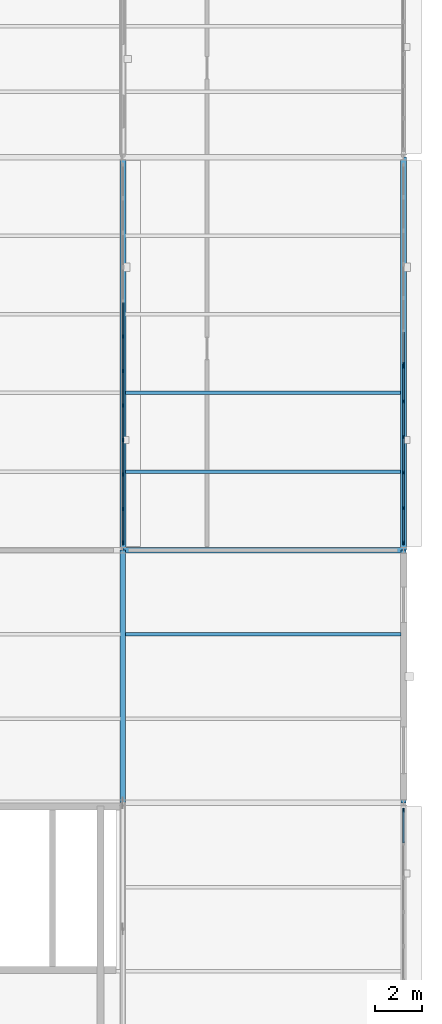
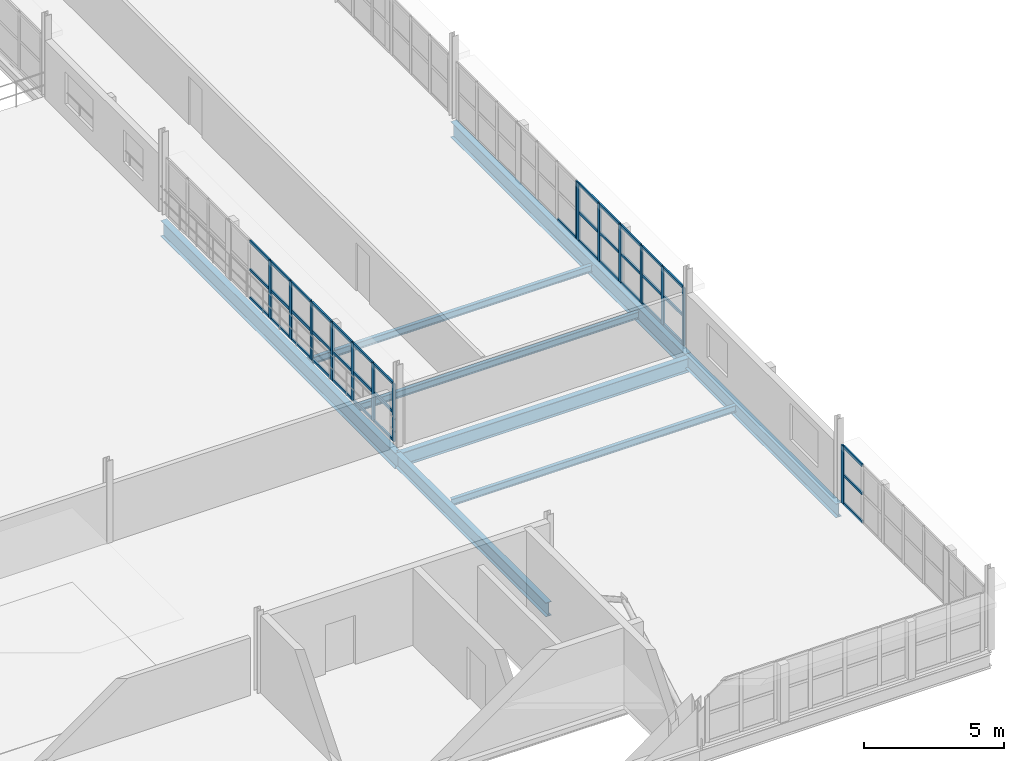
# One storey, part 38 of 74: 55 members, 8 beams, 4 elements without a shape of their own.
"""IFC4 building model written with IfcOpenShell, lengths in metres."""

from ifc_helpers import new_model, si_unit, direction, frame, origin, origin_2d, place, context, subcontext, project, spatial, rectangle, i_section, extrude, material, layer, layer_set, material_profile, profile_set, type_object, element, aggregate, save


model = new_model("IFC4")

# Units and contexts
model_context = context("Model", 3, precision=1e-05, world=origin(), true_north=direction((0.0, 1.0)))
body_context = subcontext(model_context, "Body", "Model", "MODEL_VIEW")
ifc_project = project(units=[si_unit("LENGTHUNIT", "METRE"), si_unit("AREAUNIT", "SQUARE_METRE"), si_unit("VOLUMEUNIT", "CUBIC_METRE"), si_unit("PLANEANGLEUNIT", "RADIAN"), si_unit("MASSUNIT", "GRAM", prefix="KILO"), si_unit("THERMODYNAMICTEMPERATUREUNIT", "KELVIN"), si_unit("POWERUNIT", "WATT")], contexts=[model_context])

# Site, building, storey
site_placement = place(None, origin())
site = spatial("IfcSite", under=ifc_project, at=site_placement, CompositionType="ELEMENT")
building_placement = place(site_placement, origin())
building = spatial("IfcBuilding", under=site, at=building_placement, Name="Tembeka Court Mobility Hub", CompositionType="ELEMENT")
storey_placement = place(building_placement, frame((0.0, 0.0, 12.60009765625)))
storey = spatial("IfcBuildingStorey", under=building, at=storey_placement, Name="L03", CompositionType="ELEMENT", Elevation=12.60009765625)

# Beams
ifc_material_1 = material(Name="Steel S355", Category="steel")
ifc_material_profile_1 = material_profile(ifc_material_1, i_section(OverallWidth=0.25390625, OverallDepth=0.68408203125, WebThickness=0.012451171875, FlangeThickness=0.01904296875, FilletRadius=0.01513671875, at=origin_2d()), Name="UKB 686x254x140")
ifc_profile_set_1 = profile_set([ifc_material_profile_1], Name="Steel S355")
beam_type_1 = type_object("IfcBeamType", Name="BM-G01", PredefinedType="USERDEFINED", material=ifc_profile_set_1)
for number, where, z_axis, x_axis, name in (
    (1, (164.39990234375, 21.60009765625, -0.662109375), (0.0, 1.0, 0.0), (-1.0, 0.0, 0.0), "Beam G01 (BM-L03-Y1936)"),
    (2, (176.39990234375, 21.60009765625, -0.531982421875), (0.0, 1.0, 0.0), (-1.0, 0.0, 0.0), "Beam G01 (BM-L03-Y1942)"),
):
    element("IfcBeam", number, at=place(storey_placement, frame(where, z_axis=z_axis, x_axis=x_axis)), inside=storey, type_object=beam_type_1, Name=name, ObjectType="GIRDER", PredefinedType="USERDEFINED", context=body_context, shape_type="SweptSolid", body=[
        extrude(i_section(OverallWidth=0.25390625, OverallDepth=0.68408203125, WebThickness=0.012451171875, FlangeThickness=0.01904296875, FilletRadius=0.01513671875, at=origin_2d()), origin(), (0.0, 0.0, 1.0), 16.7998046875),
    ])
ifc_material_profile_2 = material_profile(ifc_material_1, i_section(OverallWidth=0.22900390625, OverallDepth=0.612060546875, WebThickness=0.011962890625, FlangeThickness=0.01953125, FilletRadius=0.0126953125, at=origin_2d()), Name="UKB 610x229x125")
ifc_profile_set_2 = profile_set([ifc_material_profile_2], Name="Steel S355")
beam_type_2 = type_object("IfcBeamType", Name="BM-G02", PredefinedType="USERDEFINED", material=ifc_profile_set_2)
beam_1_placement = place(storey_placement, frame((164.39990234375, 21.60009765625, -0.6259765625), z_axis=(1.0, 0.0, 0.0), x_axis=(0.0, 1.0, 0.0)))
element("IfcBeam", 3, at=beam_1_placement, inside=storey, type_object=beam_type_2, Name="Beam G02 (BM-L03-X1717)", ObjectType="GIRDER", PredefinedType="USERDEFINED", context=body_context, shape_type="SweptSolid", body=[
    extrude(i_section(OverallWidth=0.22900390625, OverallDepth=0.612060546875, WebThickness=0.011962890625, FlangeThickness=0.01953125, FilletRadius=0.0126953125, at=origin_2d()), origin(), (0.0, 0.0, 1.0), 12.0),
])
for number, where, z_axis, x_axis, name in (
    (4, (164.39990234375, 10.800048828125, -0.6259765625), (0.0, 1.0, 0.0), (-1.0, 0.0, 0.0), "Beam G02 (BM-L03-Y1935)"),
    (5, (176.39990234375, 10.800048828125, -0.49609375), (0.0, 1.0, 0.0), (-1.0, 0.0, 0.0), "Beam G02 (BM-L03-Y1941)"),
):
    element("IfcBeam", number, at=place(storey_placement, frame(where, z_axis=z_axis, x_axis=x_axis)), inside=storey, type_object=beam_type_2, Name=name, ObjectType="GIRDER", PredefinedType="USERDEFINED", context=body_context, shape_type="SweptSolid", body=[
        extrude(i_section(OverallWidth=0.22900390625, OverallDepth=0.612060546875, WebThickness=0.011962890625, FlangeThickness=0.01953125, FilletRadius=0.0126953125, at=origin_2d()), origin(), (0.0, 0.0, 1.0), 10.800048828125),
    ])
ifc_material_profile_3 = material_profile(ifc_material_1, i_section(OverallWidth=0.14990234375, OverallDepth=0.300048828125, WebThickness=0.007080078125, FlangeThickness=0.0107421875, FilletRadius=0.014892578125, at=origin_2d()), Name="IPE 300")
ifc_profile_set_3 = profile_set([ifc_material_profile_3], Name="Steel S355")
beam_type_3 = type_object("IfcBeamType", Name="BM-J04", PredefinedType="JOIST", material=ifc_profile_set_3)
beam_2_placement = place(storey_placement, frame((164.509521484375, 18.0, -0.340087890625), z_axis=(1.0, 0.0, 0.0), x_axis=(0.0, 1.0, 0.0)))
element("IfcBeam", 6, at=beam_2_placement, inside=storey, type_object=beam_type_3, Name="Beam J04 (JST-L03-2174)", PredefinedType="JOIST", context=body_context, shape_type="SweptSolid", body=[
    extrude(i_section(OverallWidth=0.14990234375, OverallDepth=0.300048828125, WebThickness=0.007080078125, FlangeThickness=0.0107421875, FilletRadius=0.014892578125, at=origin_2d()), origin(), (0.0, 0.0, 1.0), 11.781005859375),
])
for number, where, z_axis, x_axis, name in (
    (7, (164.52197265625, 24.9599609375, -0.47021484375), (1.0, 0.0, 0.0), (0.0, 1.0, 0.0), "Beam J04 (JST-L03-2175)"),
    (8, (164.52197265625, 28.320068359375, -0.47021484375), (1.0, 0.0, 0.0), (0.0, 1.0, 0.0), "Beam J04 (JST-L03-2176)"),
):
    element("IfcBeam", number, at=place(storey_placement, frame(where, z_axis=z_axis, x_axis=x_axis)), inside=storey, type_object=beam_type_3, Name=name, PredefinedType="JOIST", context=body_context, shape_type="SweptSolid", body=[
        extrude(i_section(OverallWidth=0.14990234375, OverallDepth=0.300048828125, WebThickness=0.007080078125, FlangeThickness=0.0107421875, FilletRadius=0.014892578125, at=origin_2d()), origin(), (0.0, 0.0, 1.0), 11.756103515625),
    ])

# Curtain wall, member
ifc_material_2 = material(Name="Anodised aluminium 6063-T6", Category="aluminium")
ifc_layer_1 = layer(ifc_material_2, 0.159912109375)
ifc_layer_set_1 = layer_set([ifc_layer_1], Name="Anodised aluminium 6063-T6")
curtain_wall_type_1 = type_object("IfcCurtainWallType", Name="CW-SYS42", PredefinedType="USERDEFINED", material=ifc_layer_set_1)
curtain_wall_1_placement = place(storey_placement, origin())
curtain_wall_1 = element("IfcCurtainWall", 9, at=curtain_wall_1_placement, inside=storey, type_object=curtain_wall_type_1, Name="Unitised curtain wall CW42 (CW-L03-135)", ObjectType="UNITISED GLAZING", PredefinedType="USERDEFINED")
ifc_material_profile_4 = material_profile(ifc_material_2, rectangle(XDim=0.06494140625, YDim=0.159912109375, at=origin_2d()), Name="ALU-MUL 65x160")
ifc_profile_set_4 = profile_set([ifc_material_profile_4], Name="Anodised aluminium 6063-T6")
member_type_1 = type_object("IfcMemberType", Name="CW-MUL01", PredefinedType="MULLION", material=ifc_profile_set_4)
member_1_placement = place(storey_placement, frame((176.39990234375, 10.487548828125, 0.0), z_axis=(0.0, 0.0, 1.0), x_axis=(-1.0, 0.0, 0.0)))
member_1 = element("IfcMember", 10, at=member_1_placement, type_object=member_type_1, Name="CW42 mullion 8", PredefinedType="MULLION", context=body_context, shape_type="SweptSolid", body=[
    extrude(rectangle(XDim=0.06494140625, YDim=0.159912109375, at=origin_2d()), origin(), (0.0, 0.0, 1.0), 2.534912109375),
])

# Curtain wall, members
ifc_layer_2 = layer(ifc_material_2, 0.159912109375)
ifc_layer_set_2 = layer_set([ifc_layer_2], Name="Anodised aluminium 6063-T6")
curtain_wall_type_2 = type_object("IfcCurtainWallType", Name="CW-SYS51", PredefinedType="USERDEFINED", material=ifc_layer_set_2)
curtain_wall_2_placement = place(storey_placement, origin())
curtain_wall_2 = element("IfcCurtainWall", 11, at=curtain_wall_2_placement, inside=storey, type_object=curtain_wall_type_2, Name="Unitised curtain wall CW51 (CW-L03-136)", ObjectType="UNITISED GLAZING", PredefinedType="USERDEFINED")
member_2_placement = place(storey_placement, frame((176.39990234375, 21.91259765625, 0.0), z_axis=(0.0, 0.0, 1.0), x_axis=(-1.0, 0.0, 0.0)))
member_2 = element("IfcMember", 12, at=member_2_placement, type_object=member_type_1, Name="CW51 mullion 1", PredefinedType="MULLION", context=body_context, shape_type="SweptSolid", body=[
    extrude(rectangle(XDim=0.06494140625, YDim=0.159912109375, at=origin_2d()), origin(), (0.0, 0.0, 1.0), 2.534912109375),
])
member_3_placement = place(storey_placement, frame((176.39990234375, 23.399169921875, 0.0), z_axis=(0.0, 0.0, 1.0), x_axis=(-1.0, 0.0, 0.0)))
member_3 = element("IfcMember", 13, at=member_3_placement, type_object=member_type_1, Name="CW51 mullion 2", PredefinedType="MULLION", context=body_context, shape_type="SweptSolid", body=[
    extrude(rectangle(XDim=0.06494140625, YDim=0.159912109375, at=origin_2d()), origin(), (0.0, 0.0, 1.0), 2.534912109375),
])
member_4_placement = place(storey_placement, frame((176.39990234375, 24.91845703125, 0.0), z_axis=(0.0, 0.0, 1.0), x_axis=(-1.0, 0.0, 0.0)))
member_4 = element("IfcMember", 14, at=member_4_placement, type_object=member_type_1, Name="CW51 mullion 3", PredefinedType="MULLION", context=body_context, shape_type="SweptSolid", body=[
    extrude(rectangle(XDim=0.06494140625, YDim=0.159912109375, at=origin_2d()), origin(), (0.0, 0.0, 1.0), 2.534912109375),
])
member_5_placement = place(storey_placement, frame((176.39990234375, 26.4375, 0.0), z_axis=(0.0, 0.0, 1.0), x_axis=(-1.0, 0.0, 0.0)))
member_5 = element("IfcMember", 15, at=member_5_placement, type_object=member_type_1, Name="CW51 mullion 4", PredefinedType="MULLION", context=body_context, shape_type="SweptSolid", body=[
    extrude(rectangle(XDim=0.06494140625, YDim=0.159912109375, at=origin_2d()), origin(), (0.0, 0.0, 1.0), 2.534912109375),
])
member_6_placement = place(storey_placement, frame((176.39990234375, 27.956787109375, 0.0), z_axis=(0.0, 0.0, 1.0), x_axis=(-1.0, 0.0, 0.0)))
member_6 = element("IfcMember", 16, at=member_6_placement, type_object=member_type_1, Name="CW51 mullion 5", PredefinedType="MULLION", context=body_context, shape_type="SweptSolid", body=[
    extrude(rectangle(XDim=0.06494140625, YDim=0.159912109375, at=origin_2d()), origin(), (0.0, 0.0, 1.0), 2.534912109375),
])
member_7_placement = place(storey_placement, frame((176.39990234375, 29.443603515625, 0.0), z_axis=(0.0, 0.0, 1.0), x_axis=(-1.0, 0.0, 0.0)))
member_7 = element("IfcMember", 17, at=member_7_placement, type_object=member_type_1, Name="CW51 mullion 6", PredefinedType="MULLION", context=body_context, shape_type="SweptSolid", body=[
    extrude(rectangle(XDim=0.06494140625, YDim=0.159912109375, at=origin_2d()), origin(), (0.0, 0.0, 1.0), 2.534912109375),
])

# Curtain wall, member
ifc_layer_3 = layer(ifc_material_2, 0.159912109375)
ifc_layer_set_3 = layer_set([ifc_layer_3], Name="Anodised aluminium 6063-T6")
curtain_wall_type_3 = type_object("IfcCurtainWallType", Name="CW-SYS52", PredefinedType="USERDEFINED", material=ifc_layer_set_3)
curtain_wall_3_placement = place(storey_placement, origin())
curtain_wall_3 = element("IfcCurtainWall", 18, at=curtain_wall_3_placement, inside=storey, type_object=curtain_wall_type_3, Name="Unitised curtain wall CW52 (CW-L03-137)", ObjectType="UNITISED GLAZING", PredefinedType="USERDEFINED")
member_8_placement = place(storey_placement, frame((176.39990234375, 29.548583984375, 0.0), z_axis=(0.0, 0.0, 1.0), x_axis=(-1.0, 0.0, 0.0)))
member_8 = element("IfcMember", 19, at=member_8_placement, type_object=member_type_1, Name="CW52 mullion 1", PredefinedType="MULLION", context=body_context, shape_type="SweptSolid", body=[
    extrude(rectangle(XDim=0.06494140625, YDim=0.159912109375, at=origin_2d()), origin(), (0.0, 0.0, 1.0), 2.534912109375),
])

# Curtain wall, members
ifc_layer_4 = layer(ifc_material_2, 0.159912109375)
ifc_layer_set_4 = layer_set([ifc_layer_4], Name="Anodised aluminium 6063-T6")
curtain_wall_type_4 = type_object("IfcCurtainWallType", Name="CW-SYS46", PredefinedType="USERDEFINED", material=ifc_layer_set_4)
curtain_wall_4_placement = place(storey_placement, origin())
curtain_wall_4 = element("IfcCurtainWall", 20, at=curtain_wall_4_placement, inside=storey, type_object=curtain_wall_type_4, Name="Unitised curtain wall CW46 (CW-L03-141)", ObjectType="UNITISED GLAZING", PredefinedType="USERDEFINED")
member_9_placement = place(storey_placement, frame((164.39990234375, 21.91259765625, 0.0), z_axis=(0.0, 0.0, 1.0), x_axis=(-1.0, 0.0, 0.0)))
member_9 = element("IfcMember", 21, at=member_9_placement, type_object=member_type_1, Name="CW46 mullion 1", PredefinedType="MULLION", context=body_context, shape_type="SweptSolid", body=[
    extrude(rectangle(XDim=0.06494140625, YDim=0.159912109375, at=origin_2d()), origin(), (0.0, 0.0, 1.0), 2.534912109375),
])
member_10_placement = place(storey_placement, frame((164.39990234375, 23.3564453125, 0.0), z_axis=(0.0, 0.0, 1.0), x_axis=(-1.0, 0.0, 0.0)))
member_10 = element("IfcMember", 22, at=member_10_placement, type_object=member_type_1, Name="CW46 mullion 2", PredefinedType="MULLION", context=body_context, shape_type="SweptSolid", body=[
    extrude(rectangle(XDim=0.06494140625, YDim=0.159912109375, at=origin_2d()), origin(), (0.0, 0.0, 1.0), 2.534912109375),
])
member_11_placement = place(storey_placement, frame((164.39990234375, 24.832763671875, 0.0), z_axis=(0.0, 0.0, 1.0), x_axis=(-1.0, 0.0, 0.0)))
member_11 = element("IfcMember", 23, at=member_11_placement, type_object=member_type_1, Name="CW46 mullion 3", PredefinedType="MULLION", context=body_context, shape_type="SweptSolid", body=[
    extrude(rectangle(XDim=0.06494140625, YDim=0.159912109375, at=origin_2d()), origin(), (0.0, 0.0, 1.0), 2.534912109375),
])
member_12_placement = place(storey_placement, frame((164.39990234375, 26.30908203125, 0.0), z_axis=(0.0, 0.0, 1.0), x_axis=(-1.0, 0.0, 0.0)))
member_12 = element("IfcMember", 24, at=member_12_placement, type_object=member_type_1, Name="CW46 mullion 4", PredefinedType="MULLION", context=body_context, shape_type="SweptSolid", body=[
    extrude(rectangle(XDim=0.06494140625, YDim=0.159912109375, at=origin_2d()), origin(), (0.0, 0.0, 1.0), 2.534912109375),
])
member_13_placement = place(storey_placement, frame((164.39990234375, 27.785400390625, 0.0), z_axis=(0.0, 0.0, 1.0), x_axis=(-1.0, 0.0, 0.0)))
member_13 = element("IfcMember", 25, at=member_13_placement, type_object=member_type_1, Name="CW46 mullion 5", PredefinedType="MULLION", context=body_context, shape_type="SweptSolid", body=[
    extrude(rectangle(XDim=0.06494140625, YDim=0.159912109375, at=origin_2d()), origin(), (0.0, 0.0, 1.0), 2.534912109375),
])
member_14_placement = place(storey_placement, frame((164.39990234375, 29.26171875, 0.0), z_axis=(0.0, 0.0, 1.0), x_axis=(-1.0, 0.0, 0.0)))
member_14 = element("IfcMember", 26, at=member_14_placement, type_object=member_type_1, Name="CW46 mullion 6", PredefinedType="MULLION", context=body_context, shape_type="SweptSolid", body=[
    extrude(rectangle(XDim=0.06494140625, YDim=0.159912109375, at=origin_2d()), origin(), (0.0, 0.0, 1.0), 2.534912109375),
])
member_15_placement = place(storey_placement, frame((164.39990234375, 30.73828125, 0.0), z_axis=(0.0, 0.0, 1.0), x_axis=(-1.0, 0.0, 0.0)))
member_15 = element("IfcMember", 27, at=member_15_placement, type_object=member_type_1, Name="CW46 mullion 7", PredefinedType="MULLION", context=body_context, shape_type="SweptSolid", body=[
    extrude(rectangle(XDim=0.06494140625, YDim=0.159912109375, at=origin_2d()), origin(), (0.0, 0.0, 1.0), 2.534912109375),
])

# Member
ifc_material_profile_5 = material_profile(ifc_material_2, rectangle(XDim=0.06494140625, YDim=0.1201171875, at=origin_2d()), Name="ALU-TRN 65x120")
ifc_profile_set_5 = profile_set([ifc_material_profile_5], Name="Anodised aluminium 6063-T6")
member_type_2 = type_object("IfcMemberType", Name="CW-TRN01", PredefinedType="USERDEFINED", material=ifc_profile_set_5)
member_16_placement = place(storey_placement, frame((176.39990234375, 9.089599609375, 0.032470703125), z_axis=(0.0, 1.0, 0.0), x_axis=(-1.0, 0.0, 0.0)))
member_16 = element("IfcMember", 28, at=member_16_placement, type_object=member_type_2, Name="CW42 transom 7.1", ObjectType="TRANSOM", PredefinedType="USERDEFINED", context=body_context, shape_type="SweptSolid", body=[
    extrude(rectangle(XDim=0.06494140625, YDim=0.1201171875, at=origin_2d()), origin(), (0.0, 0.0, 1.0), 1.365478515625),
])

member_17_placement = place(storey_placement, frame((176.39990234375, 9.089599609375, 1.267333984375), z_axis=(0.0, 1.0, 0.0), x_axis=(-1.0, 0.0, 0.0)))
member_17 = element("IfcMember", 29, at=member_17_placement, type_object=member_type_2, Name="CW42 transom 7.2", ObjectType="TRANSOM", PredefinedType="USERDEFINED", context=body_context, shape_type="SweptSolid", body=[
    extrude(rectangle(XDim=0.06494140625, YDim=0.1201171875, at=origin_2d()), origin(), (0.0, 0.0, 1.0), 1.365478515625),
])

member_18_placement = place(storey_placement, frame((176.39990234375, 9.089599609375, 2.50244140625), z_axis=(0.0, 1.0, 0.0), x_axis=(-1.0, 0.0, 0.0)))
member_18 = element("IfcMember", 30, at=member_18_placement, type_object=member_type_2, Name="CW42 transom 7.3", ObjectType="TRANSOM", PredefinedType="USERDEFINED", context=body_context, shape_type="SweptSolid", body=[
    extrude(rectangle(XDim=0.06494140625, YDim=0.1201171875, at=origin_2d()), origin(), (0.0, 0.0, 1.0), 1.365478515625),
])

aggregate(curtain_wall_1, [member_1, member_16, member_17, member_18])

member_19_placement = place(storey_placement, frame((176.39990234375, 21.945068359375, 0.032470703125), z_axis=(0.0, 1.0, 0.0), x_axis=(-1.0, 0.0, 0.0)))
member_19 = element("IfcMember", 31, at=member_19_placement, type_object=member_type_2, Name="CW51 transom 1.1", ObjectType="TRANSOM", PredefinedType="USERDEFINED", context=body_context, shape_type="SweptSolid", body=[
    extrude(rectangle(XDim=0.06494140625, YDim=0.1201171875, at=origin_2d()), origin(), (0.0, 0.0, 1.0), 1.421630859375),
])

member_20_placement = place(storey_placement, frame((176.39990234375, 21.945068359375, 1.267333984375), z_axis=(0.0, 1.0, 0.0), x_axis=(-1.0, 0.0, 0.0)))
member_20 = element("IfcMember", 32, at=member_20_placement, type_object=member_type_2, Name="CW51 transom 1.2", ObjectType="TRANSOM", PredefinedType="USERDEFINED", context=body_context, shape_type="SweptSolid", body=[
    extrude(rectangle(XDim=0.06494140625, YDim=0.1201171875, at=origin_2d()), origin(), (0.0, 0.0, 1.0), 1.421630859375),
])

member_21_placement = place(storey_placement, frame((176.39990234375, 21.945068359375, 2.50244140625), z_axis=(0.0, 1.0, 0.0), x_axis=(-1.0, 0.0, 0.0)))
member_21 = element("IfcMember", 33, at=member_21_placement, type_object=member_type_2, Name="CW51 transom 1.3", ObjectType="TRANSOM", PredefinedType="USERDEFINED", context=body_context, shape_type="SweptSolid", body=[
    extrude(rectangle(XDim=0.06494140625, YDim=0.1201171875, at=origin_2d()), origin(), (0.0, 0.0, 1.0), 1.421630859375),
])

member_22_placement = place(storey_placement, frame((176.39990234375, 23.431640625, 0.032470703125), z_axis=(0.0, 1.0, 0.0), x_axis=(-1.0, 0.0, 0.0)))
member_22 = element("IfcMember", 34, at=member_22_placement, type_object=member_type_2, Name="CW51 transom 2.1", ObjectType="TRANSOM", PredefinedType="USERDEFINED", context=body_context, shape_type="SweptSolid", body=[
    extrude(rectangle(XDim=0.06494140625, YDim=0.1201171875, at=origin_2d()), origin(), (0.0, 0.0, 1.0), 1.454345703125),
])

member_23_placement = place(storey_placement, frame((176.39990234375, 23.431640625, 1.267333984375), z_axis=(0.0, 1.0, 0.0), x_axis=(-1.0, 0.0, 0.0)))
member_23 = element("IfcMember", 35, at=member_23_placement, type_object=member_type_2, Name="CW51 transom 2.2", ObjectType="TRANSOM", PredefinedType="USERDEFINED", context=body_context, shape_type="SweptSolid", body=[
    extrude(rectangle(XDim=0.06494140625, YDim=0.1201171875, at=origin_2d()), origin(), (0.0, 0.0, 1.0), 1.454345703125),
])

member_24_placement = place(storey_placement, frame((176.39990234375, 23.431640625, 2.50244140625), z_axis=(0.0, 1.0, 0.0), x_axis=(-1.0, 0.0, 0.0)))
member_24 = element("IfcMember", 36, at=member_24_placement, type_object=member_type_2, Name="CW51 transom 2.3", ObjectType="TRANSOM", PredefinedType="USERDEFINED", context=body_context, shape_type="SweptSolid", body=[
    extrude(rectangle(XDim=0.06494140625, YDim=0.1201171875, at=origin_2d()), origin(), (0.0, 0.0, 1.0), 1.454345703125),
])

member_25_placement = place(storey_placement, frame((176.39990234375, 24.950927734375, 0.032470703125), z_axis=(0.0, 1.0, 0.0), x_axis=(-1.0, 0.0, 0.0)))
member_25 = element("IfcMember", 37, at=member_25_placement, type_object=member_type_2, Name="CW51 transom 3.1", ObjectType="TRANSOM", PredefinedType="USERDEFINED", context=body_context, shape_type="SweptSolid", body=[
    extrude(rectangle(XDim=0.06494140625, YDim=0.1201171875, at=origin_2d()), origin(), (0.0, 0.0, 1.0), 1.4541015625),
])

member_26_placement = place(storey_placement, frame((176.39990234375, 24.950927734375, 1.267333984375), z_axis=(0.0, 1.0, 0.0), x_axis=(-1.0, 0.0, 0.0)))
member_26 = element("IfcMember", 38, at=member_26_placement, type_object=member_type_2, Name="CW51 transom 3.2", ObjectType="TRANSOM", PredefinedType="USERDEFINED", context=body_context, shape_type="SweptSolid", body=[
    extrude(rectangle(XDim=0.06494140625, YDim=0.1201171875, at=origin_2d()), origin(), (0.0, 0.0, 1.0), 1.4541015625),
])

member_27_placement = place(storey_placement, frame((176.39990234375, 24.950927734375, 2.50244140625), z_axis=(0.0, 1.0, 0.0), x_axis=(-1.0, 0.0, 0.0)))
member_27 = element("IfcMember", 39, at=member_27_placement, type_object=member_type_2, Name="CW51 transom 3.3", ObjectType="TRANSOM", PredefinedType="USERDEFINED", context=body_context, shape_type="SweptSolid", body=[
    extrude(rectangle(XDim=0.06494140625, YDim=0.1201171875, at=origin_2d()), origin(), (0.0, 0.0, 1.0), 1.4541015625),
])

member_28_placement = place(storey_placement, frame((176.39990234375, 26.47021484375, 0.032470703125), z_axis=(0.0, 1.0, 0.0), x_axis=(-1.0, 0.0, 0.0)))
member_28 = element("IfcMember", 40, at=member_28_placement, type_object=member_type_2, Name="CW51 transom 4.1", ObjectType="TRANSOM", PredefinedType="USERDEFINED", context=body_context, shape_type="SweptSolid", body=[
    extrude(rectangle(XDim=0.06494140625, YDim=0.1201171875, at=origin_2d()), origin(), (0.0, 0.0, 1.0), 1.4541015625),
])

member_29_placement = place(storey_placement, frame((176.39990234375, 26.47021484375, 1.267333984375), z_axis=(0.0, 1.0, 0.0), x_axis=(-1.0, 0.0, 0.0)))
member_29 = element("IfcMember", 41, at=member_29_placement, type_object=member_type_2, Name="CW51 transom 4.2", ObjectType="TRANSOM", PredefinedType="USERDEFINED", context=body_context, shape_type="SweptSolid", body=[
    extrude(rectangle(XDim=0.06494140625, YDim=0.1201171875, at=origin_2d()), origin(), (0.0, 0.0, 1.0), 1.4541015625),
])

member_30_placement = place(storey_placement, frame((176.39990234375, 26.47021484375, 2.50244140625), z_axis=(0.0, 1.0, 0.0), x_axis=(-1.0, 0.0, 0.0)))
member_30 = element("IfcMember", 42, at=member_30_placement, type_object=member_type_2, Name="CW51 transom 4.3", ObjectType="TRANSOM", PredefinedType="USERDEFINED", context=body_context, shape_type="SweptSolid", body=[
    extrude(rectangle(XDim=0.06494140625, YDim=0.1201171875, at=origin_2d()), origin(), (0.0, 0.0, 1.0), 1.4541015625),
])

member_31_placement = place(storey_placement, frame((176.39990234375, 27.9892578125, 0.032470703125), z_axis=(0.0, 1.0, 0.0), x_axis=(-1.0, 0.0, 0.0)))
member_31 = element("IfcMember", 43, at=member_31_placement, type_object=member_type_2, Name="CW51 transom 5.1", ObjectType="TRANSOM", PredefinedType="USERDEFINED", context=body_context, shape_type="SweptSolid", body=[
    extrude(rectangle(XDim=0.06494140625, YDim=0.1201171875, at=origin_2d()), origin(), (0.0, 0.0, 1.0), 1.421630859375),
])

member_32_placement = place(storey_placement, frame((176.39990234375, 27.9892578125, 1.267333984375), z_axis=(0.0, 1.0, 0.0), x_axis=(-1.0, 0.0, 0.0)))
member_32 = element("IfcMember", 44, at=member_32_placement, type_object=member_type_2, Name="CW51 transom 5.2", ObjectType="TRANSOM", PredefinedType="USERDEFINED", context=body_context, shape_type="SweptSolid", body=[
    extrude(rectangle(XDim=0.06494140625, YDim=0.1201171875, at=origin_2d()), origin(), (0.0, 0.0, 1.0), 1.421630859375),
])

member_33_placement = place(storey_placement, frame((176.39990234375, 27.9892578125, 2.50244140625), z_axis=(0.0, 1.0, 0.0), x_axis=(-1.0, 0.0, 0.0)))
member_33 = element("IfcMember", 45, at=member_33_placement, type_object=member_type_2, Name="CW51 transom 5.3", ObjectType="TRANSOM", PredefinedType="USERDEFINED", context=body_context, shape_type="SweptSolid", body=[
    extrude(rectangle(XDim=0.06494140625, YDim=0.1201171875, at=origin_2d()), origin(), (0.0, 0.0, 1.0), 1.421630859375),
])

aggregate(curtain_wall_2, [member_2, member_3, member_4, member_5, member_6, member_7, member_19, member_20, member_21, member_22, member_23, member_24, member_25, member_26, member_27, member_28, member_29, member_30, member_31, member_32, member_33])

member_34_placement = place(storey_placement, frame((176.39990234375, 29.5810546875, 0.032470703125), z_axis=(0.0, 1.0, 0.0), x_axis=(-1.0, 0.0, 0.0)))
member_34 = element("IfcMember", 46, at=member_34_placement, type_object=member_type_2, Name="CW52 transom 1.1", ObjectType="TRANSOM", PredefinedType="USERDEFINED", context=body_context, shape_type="SweptSolid", body=[
    extrude(rectangle(XDim=0.06494140625, YDim=0.1201171875, at=origin_2d()), origin(), (0.0, 0.0, 1.0), 1.33642578125),
])

aggregate(curtain_wall_3, [member_8, member_34])

member_35_placement = place(storey_placement, frame((164.39990234375, 21.945068359375, 0.032470703125), z_axis=(0.0, 1.0, 0.0), x_axis=(-1.0, 0.0, 0.0)))
member_35 = element("IfcMember", 47, at=member_35_placement, type_object=member_type_2, Name="CW46 transom 1.1", ObjectType="TRANSOM", PredefinedType="USERDEFINED", context=body_context, shape_type="SweptSolid", body=[
    extrude(rectangle(XDim=0.06494140625, YDim=0.1201171875, at=origin_2d()), origin(), (0.0, 0.0, 1.0), 1.37890625),
])

member_36_placement = place(storey_placement, frame((164.39990234375, 21.945068359375, 1.267333984375), z_axis=(0.0, 1.0, 0.0), x_axis=(-1.0, 0.0, 0.0)))
member_36 = element("IfcMember", 48, at=member_36_placement, type_object=member_type_2, Name="CW46 transom 1.2", ObjectType="TRANSOM", PredefinedType="USERDEFINED", context=body_context, shape_type="SweptSolid", body=[
    extrude(rectangle(XDim=0.06494140625, YDim=0.1201171875, at=origin_2d()), origin(), (0.0, 0.0, 1.0), 1.37890625),
])

member_37_placement = place(storey_placement, frame((164.39990234375, 21.945068359375, 2.50244140625), z_axis=(0.0, 1.0, 0.0), x_axis=(-1.0, 0.0, 0.0)))
member_37 = element("IfcMember", 49, at=member_37_placement, type_object=member_type_2, Name="CW46 transom 1.3", ObjectType="TRANSOM", PredefinedType="USERDEFINED", context=body_context, shape_type="SweptSolid", body=[
    extrude(rectangle(XDim=0.06494140625, YDim=0.1201171875, at=origin_2d()), origin(), (0.0, 0.0, 1.0), 1.37890625),
])

member_38_placement = place(storey_placement, frame((164.39990234375, 23.388916015625, 0.032470703125), z_axis=(0.0, 1.0, 0.0), x_axis=(-1.0, 0.0, 0.0)))
member_38 = element("IfcMember", 50, at=member_38_placement, type_object=member_type_2, Name="CW46 transom 2.1", ObjectType="TRANSOM", PredefinedType="USERDEFINED", context=body_context, shape_type="SweptSolid", body=[
    extrude(rectangle(XDim=0.06494140625, YDim=0.1201171875, at=origin_2d()), origin(), (0.0, 0.0, 1.0), 1.411376953125),
])

member_39_placement = place(storey_placement, frame((164.39990234375, 23.388916015625, 1.267333984375), z_axis=(0.0, 1.0, 0.0), x_axis=(-1.0, 0.0, 0.0)))
member_39 = element("IfcMember", 51, at=member_39_placement, type_object=member_type_2, Name="CW46 transom 2.2", ObjectType="TRANSOM", PredefinedType="USERDEFINED", context=body_context, shape_type="SweptSolid", body=[
    extrude(rectangle(XDim=0.06494140625, YDim=0.1201171875, at=origin_2d()), origin(), (0.0, 0.0, 1.0), 1.411376953125),
])

member_40_placement = place(storey_placement, frame((164.39990234375, 23.388916015625, 2.50244140625), z_axis=(0.0, 1.0, 0.0), x_axis=(-1.0, 0.0, 0.0)))
member_40 = element("IfcMember", 52, at=member_40_placement, type_object=member_type_2, Name="CW46 transom 2.3", ObjectType="TRANSOM", PredefinedType="USERDEFINED", context=body_context, shape_type="SweptSolid", body=[
    extrude(rectangle(XDim=0.06494140625, YDim=0.1201171875, at=origin_2d()), origin(), (0.0, 0.0, 1.0), 1.411376953125),
])

member_41_placement = place(storey_placement, frame((164.39990234375, 24.865234375, 0.032470703125), z_axis=(0.0, 1.0, 0.0), x_axis=(-1.0, 0.0, 0.0)))
member_41 = element("IfcMember", 53, at=member_41_placement, type_object=member_type_2, Name="CW46 transom 3.1", ObjectType="TRANSOM", PredefinedType="USERDEFINED", context=body_context, shape_type="SweptSolid", body=[
    extrude(rectangle(XDim=0.06494140625, YDim=0.1201171875, at=origin_2d()), origin(), (0.0, 0.0, 1.0), 1.411376953125),
])

member_42_placement = place(storey_placement, frame((164.39990234375, 24.865234375, 1.267333984375), z_axis=(0.0, 1.0, 0.0), x_axis=(-1.0, 0.0, 0.0)))
member_42 = element("IfcMember", 54, at=member_42_placement, type_object=member_type_2, Name="CW46 transom 3.2", ObjectType="TRANSOM", PredefinedType="USERDEFINED", context=body_context, shape_type="SweptSolid", body=[
    extrude(rectangle(XDim=0.06494140625, YDim=0.1201171875, at=origin_2d()), origin(), (0.0, 0.0, 1.0), 1.411376953125),
])

member_43_placement = place(storey_placement, frame((164.39990234375, 24.865234375, 2.50244140625), z_axis=(0.0, 1.0, 0.0), x_axis=(-1.0, 0.0, 0.0)))
member_43 = element("IfcMember", 55, at=member_43_placement, type_object=member_type_2, Name="CW46 transom 3.3", ObjectType="TRANSOM", PredefinedType="USERDEFINED", context=body_context, shape_type="SweptSolid", body=[
    extrude(rectangle(XDim=0.06494140625, YDim=0.1201171875, at=origin_2d()), origin(), (0.0, 0.0, 1.0), 1.411376953125),
])

member_44_placement = place(storey_placement, frame((164.39990234375, 26.341552734375, 0.032470703125), z_axis=(0.0, 1.0, 0.0), x_axis=(-1.0, 0.0, 0.0)))
member_44 = element("IfcMember", 56, at=member_44_placement, type_object=member_type_2, Name="CW46 transom 4.1", ObjectType="TRANSOM", PredefinedType="USERDEFINED", context=body_context, shape_type="SweptSolid", body=[
    extrude(rectangle(XDim=0.06494140625, YDim=0.1201171875, at=origin_2d()), origin(), (0.0, 0.0, 1.0), 1.411376953125),
])

member_45_placement = place(storey_placement, frame((164.39990234375, 26.341552734375, 1.267333984375), z_axis=(0.0, 1.0, 0.0), x_axis=(-1.0, 0.0, 0.0)))
member_45 = element("IfcMember", 57, at=member_45_placement, type_object=member_type_2, Name="CW46 transom 4.2", ObjectType="TRANSOM", PredefinedType="USERDEFINED", context=body_context, shape_type="SweptSolid", body=[
    extrude(rectangle(XDim=0.06494140625, YDim=0.1201171875, at=origin_2d()), origin(), (0.0, 0.0, 1.0), 1.411376953125),
])

member_46_placement = place(storey_placement, frame((164.39990234375, 26.341552734375, 2.50244140625), z_axis=(0.0, 1.0, 0.0), x_axis=(-1.0, 0.0, 0.0)))
member_46 = element("IfcMember", 58, at=member_46_placement, type_object=member_type_2, Name="CW46 transom 4.3", ObjectType="TRANSOM", PredefinedType="USERDEFINED", context=body_context, shape_type="SweptSolid", body=[
    extrude(rectangle(XDim=0.06494140625, YDim=0.1201171875, at=origin_2d()), origin(), (0.0, 0.0, 1.0), 1.411376953125),
])

member_47_placement = place(storey_placement, frame((164.39990234375, 27.81787109375, 0.032470703125), z_axis=(0.0, 1.0, 0.0), x_axis=(-1.0, 0.0, 0.0)))
member_47 = element("IfcMember", 59, at=member_47_placement, type_object=member_type_2, Name="CW46 transom 5.1", ObjectType="TRANSOM", PredefinedType="USERDEFINED", context=body_context, shape_type="SweptSolid", body=[
    extrude(rectangle(XDim=0.06494140625, YDim=0.1201171875, at=origin_2d()), origin(), (0.0, 0.0, 1.0), 1.411376953125),
])

member_48_placement = place(storey_placement, frame((164.39990234375, 27.81787109375, 1.267333984375), z_axis=(0.0, 1.0, 0.0), x_axis=(-1.0, 0.0, 0.0)))
member_48 = element("IfcMember", 60, at=member_48_placement, type_object=member_type_2, Name="CW46 transom 5.2", ObjectType="TRANSOM", PredefinedType="USERDEFINED", context=body_context, shape_type="SweptSolid", body=[
    extrude(rectangle(XDim=0.06494140625, YDim=0.1201171875, at=origin_2d()), origin(), (0.0, 0.0, 1.0), 1.411376953125),
])

member_49_placement = place(storey_placement, frame((164.39990234375, 27.81787109375, 2.50244140625), z_axis=(0.0, 1.0, 0.0), x_axis=(-1.0, 0.0, 0.0)))
member_49 = element("IfcMember", 61, at=member_49_placement, type_object=member_type_2, Name="CW46 transom 5.3", ObjectType="TRANSOM", PredefinedType="USERDEFINED", context=body_context, shape_type="SweptSolid", body=[
    extrude(rectangle(XDim=0.06494140625, YDim=0.1201171875, at=origin_2d()), origin(), (0.0, 0.0, 1.0), 1.411376953125),
])

member_50_placement = place(storey_placement, frame((164.39990234375, 29.29443359375, 0.032470703125), z_axis=(0.0, 1.0, 0.0), x_axis=(-1.0, 0.0, 0.0)))
member_50 = element("IfcMember", 62, at=member_50_placement, type_object=member_type_2, Name="CW46 transom 6.1", ObjectType="TRANSOM", PredefinedType="USERDEFINED", context=body_context, shape_type="SweptSolid", body=[
    extrude(rectangle(XDim=0.06494140625, YDim=0.1201171875, at=origin_2d()), origin(), (0.0, 0.0, 1.0), 1.4111328125),
])

member_51_placement = place(storey_placement, frame((164.39990234375, 29.29443359375, 1.267333984375), z_axis=(0.0, 1.0, 0.0), x_axis=(-1.0, 0.0, 0.0)))
member_51 = element("IfcMember", 63, at=member_51_placement, type_object=member_type_2, Name="CW46 transom 6.2", ObjectType="TRANSOM", PredefinedType="USERDEFINED", context=body_context, shape_type="SweptSolid", body=[
    extrude(rectangle(XDim=0.06494140625, YDim=0.1201171875, at=origin_2d()), origin(), (0.0, 0.0, 1.0), 1.4111328125),
])

member_52_placement = place(storey_placement, frame((164.39990234375, 29.29443359375, 2.50244140625), z_axis=(0.0, 1.0, 0.0), x_axis=(-1.0, 0.0, 0.0)))
member_52 = element("IfcMember", 64, at=member_52_placement, type_object=member_type_2, Name="CW46 transom 6.3", ObjectType="TRANSOM", PredefinedType="USERDEFINED", context=body_context, shape_type="SweptSolid", body=[
    extrude(rectangle(XDim=0.06494140625, YDim=0.1201171875, at=origin_2d()), origin(), (0.0, 0.0, 1.0), 1.4111328125),
])

member_53_placement = place(storey_placement, frame((164.39990234375, 30.770751953125, 0.032470703125), z_axis=(0.0, 1.0, 0.0), x_axis=(-1.0, 0.0, 0.0)))
member_53 = element("IfcMember", 65, at=member_53_placement, type_object=member_type_2, Name="CW46 transom 7.1", ObjectType="TRANSOM", PredefinedType="USERDEFINED", context=body_context, shape_type="SweptSolid", body=[
    extrude(rectangle(XDim=0.06494140625, YDim=0.1201171875, at=origin_2d()), origin(), (0.0, 0.0, 1.0), 1.411376953125),
])

member_54_placement = place(storey_placement, frame((164.39990234375, 30.770751953125, 1.267333984375), z_axis=(0.0, 1.0, 0.0), x_axis=(-1.0, 0.0, 0.0)))
member_54 = element("IfcMember", 66, at=member_54_placement, type_object=member_type_2, Name="CW46 transom 7.2", ObjectType="TRANSOM", PredefinedType="USERDEFINED", context=body_context, shape_type="SweptSolid", body=[
    extrude(rectangle(XDim=0.06494140625, YDim=0.1201171875, at=origin_2d()), origin(), (0.0, 0.0, 1.0), 1.411376953125),
])

member_55_placement = place(storey_placement, frame((164.39990234375, 30.770751953125, 2.50244140625), z_axis=(0.0, 1.0, 0.0), x_axis=(-1.0, 0.0, 0.0)))
member_55 = element("IfcMember", 67, at=member_55_placement, type_object=member_type_2, Name="CW46 transom 7.3", ObjectType="TRANSOM", PredefinedType="USERDEFINED", context=body_context, shape_type="SweptSolid", body=[
    extrude(rectangle(XDim=0.06494140625, YDim=0.1201171875, at=origin_2d()), origin(), (0.0, 0.0, 1.0), 1.411376953125),
])

aggregate(curtain_wall_4, [member_9, member_10, member_11, member_12, member_13, member_14, member_15, member_35, member_36, member_37, member_38, member_39, member_40, member_41, member_42, member_43, member_44, member_45, member_46, member_47, member_48, member_49, member_50, member_51, member_52, member_53, member_54, member_55])

save(model, "model.ifc")
